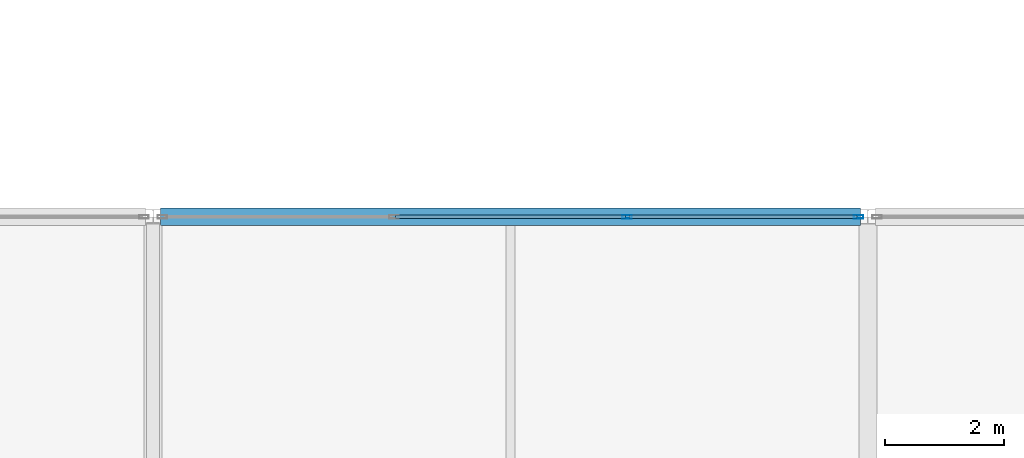
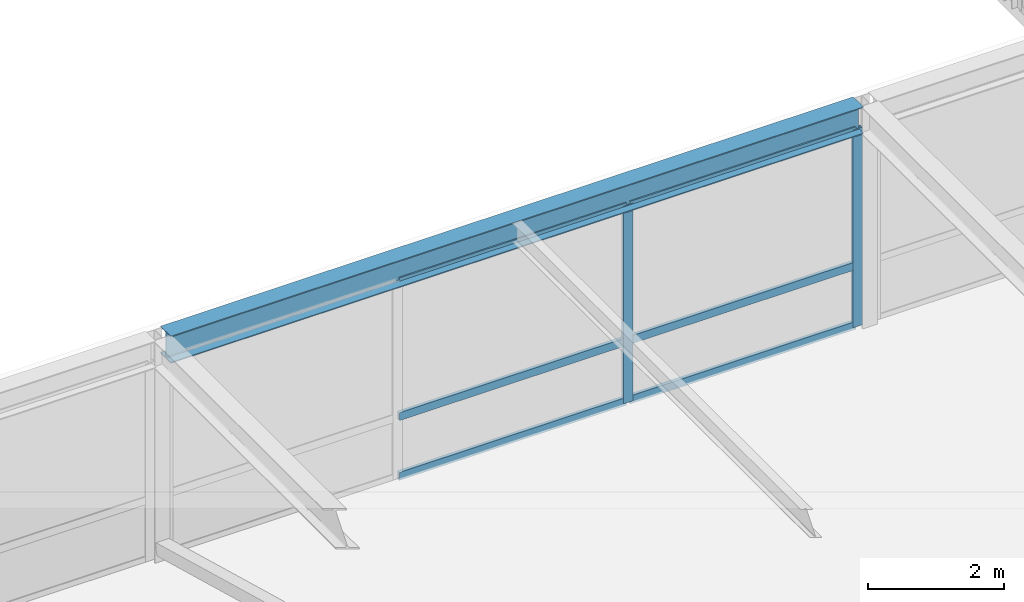
# One storey, part 83 of 111: 8 members, 1 beam, 1 element without a shape of its own.
"""IFC4 building model written with IfcOpenShell, lengths in metres."""

from ifc_helpers import new_model, si_unit, direction, frame, origin, origin_2d, place, context, subcontext, project, spatial, hollow_rectangle, i_section, extrude, material, layer, layer_set, material_profile, profile_set, type_object, element, aggregate, save


model = new_model("IFC4")

# Units and contexts
model_context = context("Model", 3, precision=1e-05, world=origin(), true_north=direction((0.0, 1.0)))
body_context = subcontext(model_context, "Body", "Model", "MODEL_VIEW")
ifc_project = project(units=[si_unit("LENGTHUNIT", "METRE"), si_unit("AREAUNIT", "SQUARE_METRE"), si_unit("VOLUMEUNIT", "CUBIC_METRE"), si_unit("PLANEANGLEUNIT", "RADIAN"), si_unit("MASSUNIT", "GRAM", prefix="KILO")], contexts=[model_context])

# Site, building, storey
site_placement = place(None, origin())
site = spatial("IfcSite", under=ifc_project, at=site_placement, CompositionType="ELEMENT")
building_placement = place(site_placement, origin())
building = spatial("IfcBuilding", under=site, at=building_placement, Name="Zlatovratsky Civic Hall", CompositionType="ELEMENT")
storey_placement = place(building_placement, frame((0.0, 0.0, 16.5)))
storey = spatial("IfcBuildingStorey", under=building, at=storey_placement, Name="L04", CompositionType="ELEMENT", Elevation=16.5)

# Beam
ifc_material_1 = material(Name="Steel S355", Category="steel")
ifc_material_profile_1 = material_profile(ifc_material_1, i_section(OverallWidth=0.300048828125, OverallDepth=0.487060546875, WebThickness=0.014404296875, FlangeThickness=0.017578125, FilletRadius=0.02392578125, at=origin_2d()), Name="50Sh2")
ifc_profile_set_1 = profile_set([ifc_material_profile_1], Name="Steel S355")
beam_type = type_object("IfcBeamType", Name="Beam_ArchiveGirder_50Sh2", PredefinedType="BEAM", material=ifc_profile_set_1)
beam_placement = place(storey_placement, frame((132.125, 30.0, 3.756591796875), z_axis=(1.0, 0.0, 0.0), x_axis=(0.0, 1.0, 0.0)))
element("IfcBeam", 1, at=beam_placement, inside=storey, type_object=beam_type, Name="BM-3270", PredefinedType="BEAM", context=body_context, shape_type="SweptSolid", body=[
    extrude(i_section(OverallWidth=0.300048828125, OverallDepth=0.487060546875, WebThickness=0.014404296875, FlangeThickness=0.017578125, FilletRadius=0.02392578125, at=origin_2d()), origin(), (0.0, 0.0, 1.0), 11.75),
])

# Curtain wall, members
ifc_material_2 = material(Name="Anodised bronze aluminium", Category="aluminium")
ifc_layer = layer(ifc_material_2, 0.159912109375)
ifc_layer_set = layer_set([ifc_layer], Name="Anodised bronze aluminium")
curtain_wall_type = type_object("IfcCurtainWallType", Name="CurtainWall_Bronze_11750x3550_17", PredefinedType="NOTDEFINED", material=ifc_layer_set)
curtain_wall_placement = place(storey_placement, origin())
curtain_wall = element("IfcCurtainWall", 2, at=curtain_wall_placement, inside=storey, type_object=curtain_wall_type, Name="CW-112", PredefinedType="NOTDEFINED")
ifc_material_profile_2 = material_profile(ifc_material_2, hollow_rectangle(XDim=0.06005859375, YDim=0.159912109375, WallThickness=0.00390625, at=origin_2d()), Name="ALU 60x160x4")
ifc_profile_set_2 = profile_set([ifc_material_profile_2], Name="Anodised bronze aluminium")
member_type_1 = type_object("IfcMemberType", Name="CW_Mullion_60x160", PredefinedType="MULLION", material=ifc_profile_set_2)
member_1_placement = place(storey_placement, frame((139.958251953125, 30.0, 0.0), z_axis=(0.0, 0.0, 1.0), x_axis=(0.0, 1.0, 0.0)))
member_1 = element("IfcMember", 3, at=member_1_placement, type_object=member_type_1, Name="CW-17 mullion 3", PredefinedType="MULLION", context=body_context, shape_type="SweptSolid", body=[
    extrude(hollow_rectangle(XDim=0.06005859375, YDim=0.159912109375, WallThickness=0.00390625, at=origin_2d()), origin(), (0.0, 0.0, 1.0), 3.550048828125),
])
member_2_placement = place(storey_placement, frame((143.844970703125, 30.0, 0.0), z_axis=(0.0, 0.0, 1.0), x_axis=(0.0, 1.0, 0.0)))
member_2 = element("IfcMember", 4, at=member_2_placement, type_object=member_type_1, Name="CW-17 mullion 4", PredefinedType="MULLION", context=body_context, shape_type="SweptSolid", body=[
    extrude(hollow_rectangle(XDim=0.06005859375, YDim=0.159912109375, WallThickness=0.00390625, at=origin_2d()), origin(), (0.0, 0.0, 1.0), 3.550048828125),
])
ifc_material_profile_3 = material_profile(ifc_material_2, hollow_rectangle(XDim=0.06005859375, YDim=0.139892578125, WallThickness=0.00390625, at=origin_2d()), Name="ALU 60x140x4")
ifc_profile_set_3 = profile_set([ifc_material_profile_3], Name="Anodised bronze aluminium")
member_type_2 = type_object("IfcMemberType", Name="CW_Transom_60x140", PredefinedType="USERDEFINED", material=ifc_profile_set_3)
member_3_placement = place(storey_placement, frame((136.07177734375, 30.0, 0.030029296875), z_axis=(1.0, 0.0, 0.0), x_axis=(0.0, 1.0, 0.0)))
member_3 = element("IfcMember", 5, at=member_3_placement, type_object=member_type_2, Name="CW-17 transom 2.1", ObjectType="TRANSOM", PredefinedType="USERDEFINED", context=body_context, shape_type="SweptSolid", body=[
    extrude(hollow_rectangle(XDim=0.06005859375, YDim=0.139892578125, WallThickness=0.00390625, at=origin_2d()), origin(), (0.0, 0.0, 1.0), 3.8564453125),
])
member_4_placement = place(storey_placement, frame((136.07177734375, 30.0, 1.10009765625), z_axis=(1.0, 0.0, 0.0), x_axis=(0.0, 1.0, 0.0)))
member_4 = element("IfcMember", 6, at=member_4_placement, type_object=member_type_2, Name="CW-17 transom 2.2", ObjectType="TRANSOM", PredefinedType="USERDEFINED", context=body_context, shape_type="SweptSolid", body=[
    extrude(hollow_rectangle(XDim=0.06005859375, YDim=0.139892578125, WallThickness=0.00390625, at=origin_2d()), origin(), (0.0, 0.0, 1.0), 3.8564453125),
])
member_5_placement = place(storey_placement, frame((136.07177734375, 30.0, 3.52001953125), z_axis=(1.0, 0.0, 0.0), x_axis=(0.0, 1.0, 0.0)))
member_5 = element("IfcMember", 7, at=member_5_placement, type_object=member_type_2, Name="CW-17 transom 2.3", ObjectType="TRANSOM", PredefinedType="USERDEFINED", context=body_context, shape_type="SweptSolid", body=[
    extrude(hollow_rectangle(XDim=0.06005859375, YDim=0.139892578125, WallThickness=0.00390625, at=origin_2d()), origin(), (0.0, 0.0, 1.0), 3.8564453125),
])
member_6_placement = place(storey_placement, frame((139.98828125, 30.0, 0.030029296875), z_axis=(1.0, 0.0, 0.0), x_axis=(0.0, 1.0, 0.0)))
member_6 = element("IfcMember", 8, at=member_6_placement, type_object=member_type_2, Name="CW-17 transom 3.1", ObjectType="TRANSOM", PredefinedType="USERDEFINED", context=body_context, shape_type="SweptSolid", body=[
    extrude(hollow_rectangle(XDim=0.06005859375, YDim=0.139892578125, WallThickness=0.00390625, at=origin_2d()), origin(), (0.0, 0.0, 1.0), 3.82666015625),
])
member_7_placement = place(storey_placement, frame((139.98828125, 30.0, 1.10009765625), z_axis=(1.0, 0.0, 0.0), x_axis=(0.0, 1.0, 0.0)))
member_7 = element("IfcMember", 9, at=member_7_placement, type_object=member_type_2, Name="CW-17 transom 3.2", ObjectType="TRANSOM", PredefinedType="USERDEFINED", context=body_context, shape_type="SweptSolid", body=[
    extrude(hollow_rectangle(XDim=0.06005859375, YDim=0.139892578125, WallThickness=0.00390625, at=origin_2d()), origin(), (0.0, 0.0, 1.0), 3.82666015625),
])
member_8_placement = place(storey_placement, frame((139.98828125, 30.0, 3.52001953125), z_axis=(1.0, 0.0, 0.0), x_axis=(0.0, 1.0, 0.0)))
member_8 = element("IfcMember", 10, at=member_8_placement, type_object=member_type_2, Name="CW-17 transom 3.3", ObjectType="TRANSOM", PredefinedType="USERDEFINED", context=body_context, shape_type="SweptSolid", body=[
    extrude(hollow_rectangle(XDim=0.06005859375, YDim=0.139892578125, WallThickness=0.00390625, at=origin_2d()), origin(), (0.0, 0.0, 1.0), 3.82666015625),
])
aggregate(curtain_wall, [member_1, member_2, member_3, member_4, member_5, member_6, member_7, member_8])

save(model, "model.ifc")
